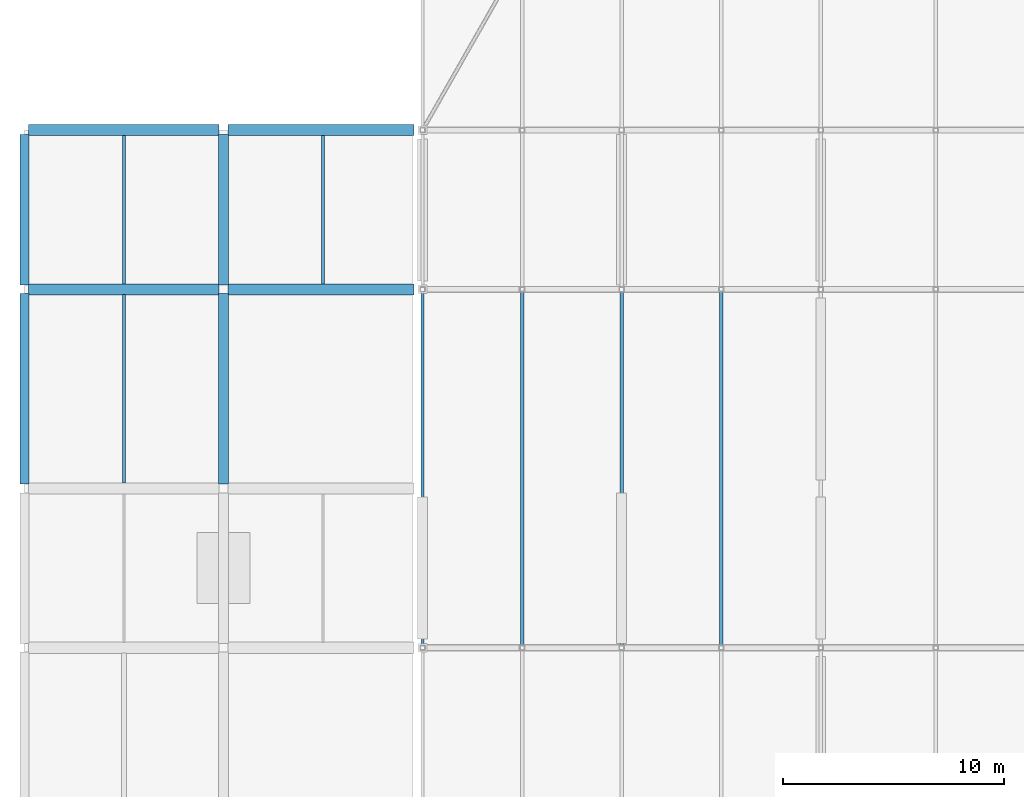
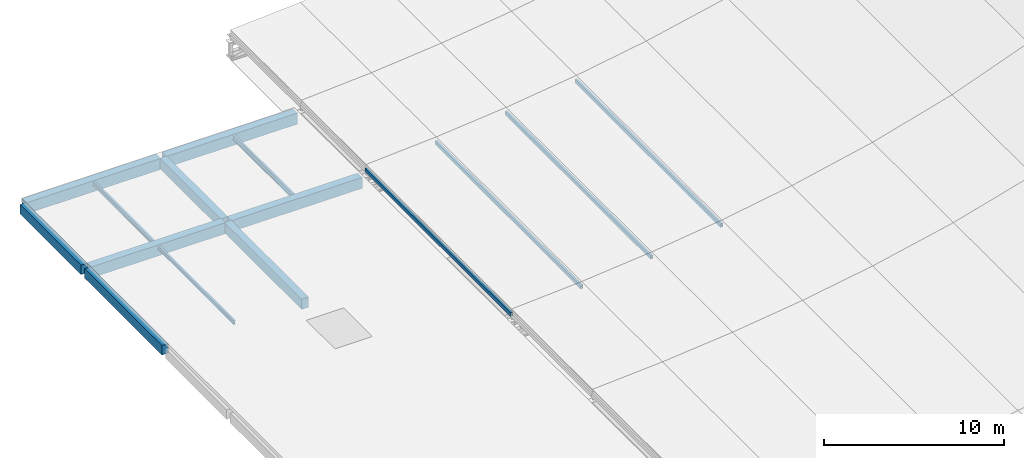
# One storey, part 14 of 24: 11 beams, 4 members.
"""IFC4 building model written with IfcOpenShell, lengths in metres."""

from ifc_helpers import new_model, si_unit, direction, frame, origin, origin_2d, place, context, subcontext, project, spatial, rectangle, hollow_rectangle, i_section, extrude, material, material_profile, profile_set, type_object, element, save


model = new_model("IFC4")

# Units and contexts
model_context = context("Model", 3, precision=1e-05, world=origin(), true_north=direction((0.0, 1.0)))
body_context = subcontext(model_context, "Body", "Model", "MODEL_VIEW")
ifc_project = project(units=[si_unit("LENGTHUNIT", "METRE"), si_unit("AREAUNIT", "SQUARE_METRE"), si_unit("VOLUMEUNIT", "CUBIC_METRE"), si_unit("PLANEANGLEUNIT", "RADIAN"), si_unit("MASSUNIT", "GRAM", prefix="KILO"), si_unit("THERMODYNAMICTEMPERATUREUNIT", "KELVIN"), si_unit("POWERUNIT", "WATT")], contexts=[model_context])

# Site, building, storey
site_placement = place(None, origin())
site = spatial("IfcSite", under=ifc_project, at=site_placement, CompositionType="ELEMENT")
building_placement = place(site_placement, origin())
building = spatial("IfcBuilding", under=site, at=building_placement, Name="Sindhuravela Promenade Stadium", CompositionType="ELEMENT")
storey_placement = place(building_placement, frame((0.0, 0.0, 28.800048828125)))
storey = spatial("IfcBuildingStorey", under=building, at=storey_placement, Name="RF", CompositionType="ELEMENT", Elevation=28.800048828125)

# Beams
ifc_material_1 = material(Name="Concrete M40", Category="concrete")
ifc_material_profile_1 = material_profile(ifc_material_1, rectangle(XDim=0.39990234375, YDim=0.64990234375, at=origin_2d()), Name="RC 400x650")
ifc_profile_set_1 = profile_set([ifc_material_profile_1], Name="Concrete M40")
beam_type_1 = type_object("IfcBeamType", Name="RC-BM-400x650", PredefinedType="SPANDREL", material=ifc_profile_set_1)
beam_1_placement = place(storey_placement, frame((0.0, 100.9931640625, -0.56494140625), z_axis=(0.0, 1.0, 0.0), x_axis=(-1.0, 0.0, 0.0)))
element("IfcBeam", 1, at=beam_1_placement, inside=storey, type_object=beam_type_1, Name="Primary beam SP01 WEST RF", PredefinedType="SPANDREL", context=body_context, shape_type="SweptSolid", body=[
    extrude(rectangle(XDim=0.39990234375, YDim=0.64990234375, at=origin_2d()), origin(), (0.0, 0.0, 1.0), 8.613525390625),
])
beam_2_placement = place(storey_placement, frame((0.0, 109.9931640625, -0.56494140625), z_axis=(0.0, 1.0, 0.0), x_axis=(-1.0, 0.0, 0.0)))
element("IfcBeam", 2, at=beam_2_placement, inside=storey, type_object=beam_type_1, Name="Primary beam SP01 WEST RF", PredefinedType="SPANDREL", context=body_context, shape_type="SweptSolid", body=[
    extrude(rectangle(XDim=0.39990234375, YDim=0.64990234375, at=origin_2d()), origin(), (0.0, 0.0, 1.0), 6.813720703125),
])
ifc_material_profile_2 = material_profile(ifc_material_1, rectangle(XDim=0.449951171875, YDim=0.699951171875, at=origin_2d()), Name="RC 450x700")
ifc_profile_set_2 = profile_set([ifc_material_profile_2], Name="Concrete M40")
beam_type_2 = type_object("IfcBeamType", Name="RC-BM-450x700", PredefinedType="BEAM", material=ifc_profile_set_2)
beam_3_placement = place(storey_placement, frame((9.0, 100.9931640625, -0.590087890625), z_axis=(0.0, 1.0, 0.0), x_axis=(-1.0, 0.0, 0.0)))
element("IfcBeam", 3, at=beam_3_placement, inside=storey, type_object=beam_type_2, Name="Primary beam GB07 WEST RF", PredefinedType="BEAM", context=body_context, shape_type="SweptSolid", body=[
    extrude(rectangle(XDim=0.449951171875, YDim=0.699951171875, at=origin_2d()), origin(), (0.0, 0.0, 1.0), 8.613525390625),
])
beam_4_placement = place(storey_placement, frame((9.0, 109.9931640625, -0.590087890625), z_axis=(0.0, 1.0, 0.0), x_axis=(-1.0, 0.0, 0.0)))
element("IfcBeam", 4, at=beam_4_placement, inside=storey, type_object=beam_type_2, Name="Primary beam GB07 WEST RF", PredefinedType="BEAM", context=body_context, shape_type="SweptSolid", body=[
    extrude(rectangle(XDim=0.449951171875, YDim=0.699951171875, at=origin_2d()), origin(), (0.0, 0.0, 1.0), 6.813720703125),
])
ifc_material_profile_3 = material_profile(ifc_material_1, rectangle(XDim=0.5, YDim=0.75, at=origin_2d()), Name="RC 500x750")
ifc_profile_set_3 = profile_set([ifc_material_profile_3], Name="Concrete M40")
beam_type_3 = type_object("IfcBeamType", Name="RC-BM-500x750", PredefinedType="BEAM", material=ifc_profile_set_3)
beam_5_placement = place(storey_placement, frame((0.193115234375, 109.800048828125, -0.614990234375), z_axis=(1.0, 0.0, 0.0), x_axis=(0.0, 1.0, 0.0)))
element("IfcBeam", 5, at=beam_5_placement, inside=storey, type_object=beam_type_3, Name="Primary girder GB06 WEST RF", PredefinedType="BEAM", context=body_context, shape_type="SweptSolid", body=[
    extrude(rectangle(XDim=0.5, YDim=0.75, at=origin_2d()), origin(), (0.0, 0.0, 1.0), 8.61376953125),
])
beam_6_placement = place(storey_placement, frame((9.193115234375, 109.800048828125, -0.614990234375), z_axis=(1.0, 0.0, 0.0), x_axis=(0.0, 1.0, 0.0)))
element("IfcBeam", 6, at=beam_6_placement, inside=storey, type_object=beam_type_3, Name="Primary girder GB06 WEST RF", PredefinedType="BEAM", context=body_context, shape_type="SweptSolid", body=[
    extrude(rectangle(XDim=0.5, YDim=0.75, at=origin_2d()), origin(), (0.0, 0.0, 1.0), 8.4169921875),
])
beam_7_placement = place(storey_placement, frame((0.193115234375, 117.0, -0.614990234375), z_axis=(1.0, 0.0, 0.0), x_axis=(0.0, 1.0, 0.0)))
element("IfcBeam", 7, at=beam_7_placement, inside=storey, type_object=beam_type_3, Name="Primary girder GB06 WEST RF", PredefinedType="BEAM", context=body_context, shape_type="SweptSolid", body=[
    extrude(rectangle(XDim=0.5, YDim=0.75, at=origin_2d()), origin(), (0.0, 0.0, 1.0), 8.61376953125),
])
beam_8_placement = place(storey_placement, frame((9.193115234375, 117.0, -0.614990234375), z_axis=(1.0, 0.0, 0.0), x_axis=(0.0, 1.0, 0.0)))
element("IfcBeam", 8, at=beam_8_placement, inside=storey, type_object=beam_type_3, Name="Primary girder GB06 WEST RF", PredefinedType="BEAM", context=body_context, shape_type="SweptSolid", body=[
    extrude(rectangle(XDim=0.5, YDim=0.75, at=origin_2d()), origin(), (0.0, 0.0, 1.0), 8.4169921875),
])
ifc_material_2 = material(Name="Steel E350 (IS 2062 E350BR)", Category="steel")
ifc_material_profile_4 = material_profile(ifc_material_2, i_section(OverallWidth=0.125, OverallDepth=0.25, WebThickness=0.0068359375, FlangeThickness=0.012451171875, FilletRadius=0.012939453125, at=origin_2d()), Name="ISMB 250")
ifc_profile_set_4 = profile_set([ifc_material_profile_4], Name="Steel E350 (IS 2062 E350BR)")
beam_type_4 = type_object("IfcBeamType", Name="ST-BM-MB250", PredefinedType="JOIST", material=ifc_profile_set_4)
beam_9_placement = place(storey_placement, frame((4.5, 101.0400390625, -0.364990234375), z_axis=(0.0, 1.0, 0.0), x_axis=(-1.0, 0.0, 0.0)))
element("IfcBeam", 9, at=beam_9_placement, inside=storey, type_object=beam_type_4, Name="Secondary floor joist SB02 WEST RF", PredefinedType="JOIST", context=body_context, shape_type="SweptSolid", body=[
    extrude(i_section(OverallWidth=0.125, OverallDepth=0.25, WebThickness=0.0068359375, FlangeThickness=0.012451171875, FilletRadius=0.012939453125, at=origin_2d()), origin(), (0.0, 0.0, 1.0), 8.52001953125),
])
ifc_material_profile_5 = material_profile(ifc_material_2, i_section(OverallWidth=0.139892578125, OverallDepth=0.300048828125, WebThickness=0.0078125, FlangeThickness=0.01318359375, FilletRadius=0.013916015625, at=origin_2d()), Name="ISMB 300")
ifc_profile_set_5 = profile_set([ifc_material_profile_5], Name="Steel E350 (IS 2062 E350BR)")
beam_type_5 = type_object("IfcBeamType", Name="ST-BM-MB300", PredefinedType="JOIST", material=ifc_profile_set_5)
beam_10_placement = place(storey_placement, frame((4.5, 110.0400390625, -0.39013671875), z_axis=(0.0, 1.0, 0.0), x_axis=(-1.0, 0.0, 0.0)))
element("IfcBeam", 10, at=beam_10_placement, inside=storey, type_object=beam_type_5, Name="Secondary floor joist SB03 WEST RF", PredefinedType="JOIST", context=body_context, shape_type="SweptSolid", body=[
    extrude(i_section(OverallWidth=0.139892578125, OverallDepth=0.300048828125, WebThickness=0.0078125, FlangeThickness=0.01318359375, FilletRadius=0.013916015625, at=origin_2d()), origin(), (0.0, 0.0, 1.0), 6.719970703125),
])
ifc_material_profile_6 = material_profile(ifc_material_2, i_section(OverallWidth=0.139892578125, OverallDepth=0.35009765625, WebThickness=0.008056640625, FlangeThickness=0.01416015625, FilletRadius=0.013916015625, at=origin_2d()), Name="ISMB 350")
ifc_profile_set_6 = profile_set([ifc_material_profile_6], Name="Steel E350 (IS 2062 E350BR)")
beam_type_6 = type_object("IfcBeamType", Name="ST-BM-MB350", PredefinedType="JOIST", material=ifc_profile_set_6)
beam_11_placement = place(storey_placement, frame((13.5, 110.0400390625, -0.4150390625), z_axis=(0.0, 1.0, 0.0), x_axis=(-1.0, 0.0, 0.0)))
element("IfcBeam", 11, at=beam_11_placement, inside=storey, type_object=beam_type_6, Name="Secondary floor joist SB04 WEST RF", PredefinedType="JOIST", context=body_context, shape_type="SweptSolid", body=[
    extrude(i_section(OverallWidth=0.139892578125, OverallDepth=0.35009765625, WebThickness=0.008056640625, FlangeThickness=0.01416015625, FilletRadius=0.013916015625, at=origin_2d()), origin(), (0.0, 0.0, 1.0), 6.719970703125),
])

# Members
ifc_material_profile_7 = material_profile(ifc_material_2, hollow_rectangle(XDim=0.14990234375, YDim=0.25, WallThickness=0.010009765625, at=origin_2d()), Name="RHS 250x150x10")
ifc_profile_set_7 = profile_set([ifc_material_profile_7], Name="Steel E350 (IS 2062 E350BR)")
member_type = type_object("IfcMemberType", Name="ST-MB-RHS250", PredefinedType="PURLIN", material=ifc_profile_set_7)
for number, where, z_axis, x_axis, name in (
    (12, (18.0, 93.60009765625, -0.008056640625), (0.0, 1.0, 0.0), (-1.0, 0.0, 0.0), "Roof purlin PR01 W bay 6.1"),
    (13, (22.5, 93.60009765625, 0.28515625), (0.0, 1.0, 0.0), (-1.0, 0.0, 0.0), "Roof purlin PR01 W bay 6.2"),
    (14, (27.0, 93.60009765625, 0.720703125), (0.0, 1.0, 0.0), (-1.0, 0.0, 0.0), "Roof purlin PR01 W bay 6.3"),
    (15, (31.5, 93.60009765625, 1.31005859375), (0.0, 1.0, 0.0), (-1.0, 0.0, 0.0), "Roof purlin PR01 W bay 6.4"),
):
    element("IfcMember", number, at=place(storey_placement, frame(where, z_axis=z_axis, x_axis=x_axis)), inside=storey, type_object=member_type, Name=name, PredefinedType="PURLIN", context=body_context, shape_type="SweptSolid", body=[
        extrude(hollow_rectangle(XDim=0.14990234375, YDim=0.25, WallThickness=0.010009765625, at=origin_2d()), origin(), (0.0, 0.0, 1.0), 16.199951171875),
    ])

save(model, "model.ifc")
